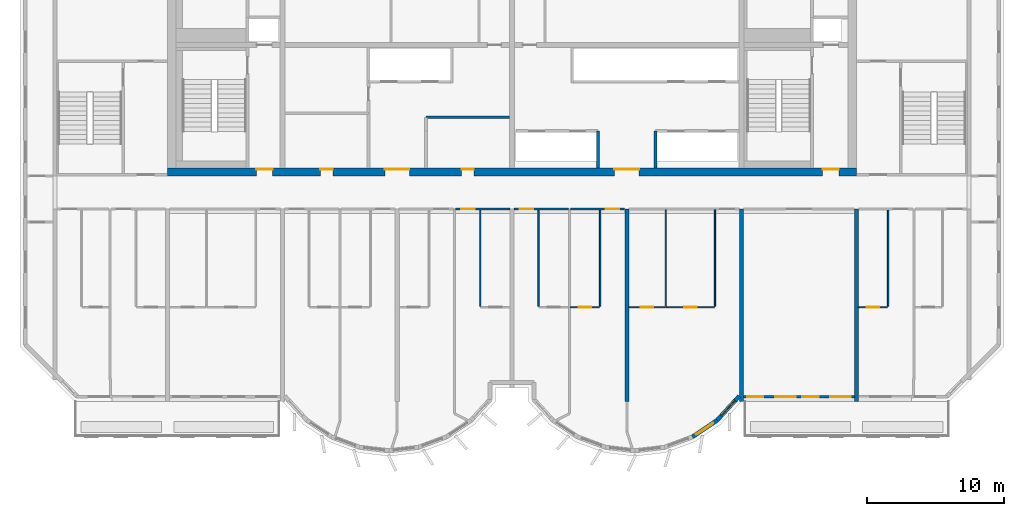
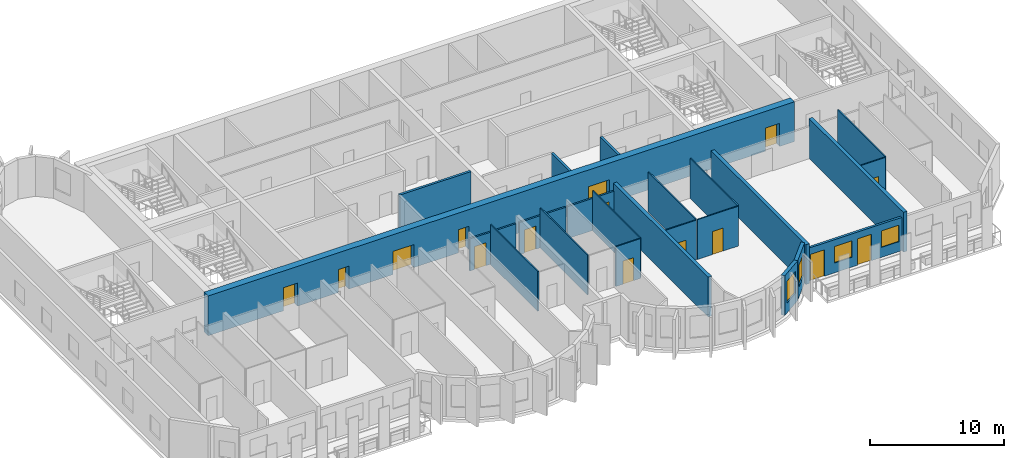
# One storey, part 5 of 11: 23 walls, 15 doors, 4 windows, 19 openings.
"""IFC4 building model written with IfcOpenShell, lengths in metres."""

from ifc_helpers import new_model, si_unit, direction, frame, frame_2d, origin, place, context, subcontext, project, spatial, rectangle, extrude, source, transform, mapped, material, layer, layer_set, type_object, element, fill, save


model = new_model("IFC4")

# Units and contexts
model_context = context("Model", 3, precision=1e-05, world=origin(), true_north=direction((0.0, 1.0)))
body_context = subcontext(model_context, "Body", "Model", "MODEL_VIEW")
ifc_project = project(units=[si_unit("LENGTHUNIT", "METRE"), si_unit("AREAUNIT", "SQUARE_METRE"), si_unit("VOLUMEUNIT", "CUBIC_METRE"), si_unit("PLANEANGLEUNIT", "RADIAN"), si_unit("MASSUNIT", "GRAM", prefix="KILO")], contexts=[model_context])

# Site, building, storey
site_placement = place(None, origin())
site = spatial("IfcSite", under=ifc_project, at=site_placement, CompositionType="ELEMENT")
building_placement = place(site_placement, origin())
building = spatial("IfcBuilding", under=site, at=building_placement, Name="Vanashikhar Sky Hotel", CompositionType="ELEMENT")
storey_placement = place(building_placement, frame((0.0, 0.0, 233.5)))
storey = spatial("IfcBuildingStorey", under=building, at=storey_placement, Name="L56", CompositionType="ELEMENT", Elevation=233.5)

# Wall, openings, doors
ifc_material_1 = material(Name="Concrete M60", Category="concrete")
ifc_layer_1 = layer(ifc_material_1, 0.60009765625)
ifc_layer_set_1 = layer_set([ifc_layer_1], Name="RC core shell wall 600 Concrete M60")
wall_type_1 = type_object("IfcWallType", Name="RC core shell wall 600 Concrete M60", PredefinedType="SHEAR", material=ifc_layer_set_1)
shared_shape_1 = source(origin(), body_context, "Body", "SweptSolid", [
    extrude(rectangle(XDim=50.400146484375, YDim=0.60009765625, at=frame_2d((25.2001953125, 0.0))), origin(), (0.0, 0.0, 1.0), 3.6201171875),
])
wall_1_placement = place(storey_placement, frame((25.199951171875, 22.300048828125, 0.0), z_axis=(0.0, 0.0, 1.0), x_axis=(1.0, 0.0, 0.0)))
wall_1 = element("IfcWall", 1, at=wall_1_placement, inside=storey, type_object=wall_type_1, Name="KW-L56-KS", PredefinedType="SHEAR", context=body_context, shape_type="MappedRepresentation", body=[
    mapped(shared_shape_1, transform((0.0, 0.0, 0.0), scale=1.0)),
])
shared_shape_2 = source(origin(), body_context, "Body", "SweptSolid", [
    extrude(rectangle(XDim=1.800048828125, YDim=2.10009765625, at=frame_2d((0.89990234375, 1.050048828125))), frame((0.0, 0.31005859375, 0.0), z_axis=(0.0, -1.0, 0.0), x_axis=(1.0, 0.0, 0.0)), (0.0, 0.0, 1.0), 0.6201171875),
])
opening_1_placement = place(wall_1_placement, frame((15.89990234375, 0.0, 0.0)))
opening_1 = element("IfcOpeningElement", 2, at=opening_1_placement, cuts=wall_1, Name="Opening DC-3-A", PredefinedType="OPENING", context=body_context, shape_type="MappedRepresentation", body=[
    mapped(shared_shape_2, transform((0.0, 0.0, 0.0), scale=1.0)),
])
shared_shape_3 = source(origin(), body_context, "Body", "SweptSolid", [
    extrude(rectangle(XDim=0.89990234375, YDim=2.10009765625, at=frame_2d((0.449951171875, 1.050048828125))), frame((0.0, 0.31005859375, 0.0), z_axis=(0.0, -1.0, 0.0), x_axis=(1.0, 0.0, 0.0)), (0.0, 0.0, 1.0), 0.6201171875),
])
opening_2_placement = place(wall_1_placement, frame((11.18701171875, 0.0, 0.0)))
opening_2 = element("IfcOpeningElement", 3, at=opening_2_placement, cuts=wall_1, Name="Opening DC-4-A", PredefinedType="OPENING", context=body_context, shape_type="MappedRepresentation", body=[
    mapped(shared_shape_3, transform((0.0, 0.0, 0.0), scale=1.0)),
])
opening_3_placement = place(wall_1_placement, frame((21.512939453125, 0.0, 0.0)))
opening_3 = element("IfcOpeningElement", 4, at=opening_3_placement, cuts=wall_1, Name="Opening DC-4-A", PredefinedType="OPENING", context=body_context, shape_type="MappedRepresentation", body=[
    mapped(shared_shape_3, transform((0.0, 0.0, 0.0), scale=1.0)),
])
opening_4_placement = place(wall_1_placement, frame((32.699951171875, 0.0, 0.0)))
opening_4 = element("IfcOpeningElement", 5, at=opening_4_placement, cuts=wall_1, Name="Opening DC-3-A", PredefinedType="OPENING", context=body_context, shape_type="MappedRepresentation", body=[
    mapped(shared_shape_2, transform((0.0, 0.0, 0.0), scale=1.0)),
])
shared_shape_4 = source(origin(), body_context, "Body", "SweptSolid", [
    extrude(rectangle(XDim=1.199951171875, YDim=2.10009765625, at=frame_2d((0.60009765625, 1.050048828125))), frame((0.0, 0.31005859375, 0.0), z_axis=(0.0, -1.0, 0.0), x_axis=(1.0, 0.0, 0.0)), (0.0, 0.0, 1.0), 0.6201171875),
])
opening_5_placement = place(wall_1_placement, frame((6.488037109375, 0.0, 0.0)))
opening_5 = element("IfcOpeningElement", 6, at=opening_5_placement, cuts=wall_1, Name="Opening DC-2", PredefinedType="OPENING", context=body_context, shape_type="MappedRepresentation", body=[
    mapped(shared_shape_4, transform((0.0, 0.0, 0.0), scale=1.0)),
])
opening_6_placement = place(wall_1_placement, frame((47.925048828125, 0.0, 0.0)))
opening_6 = element("IfcOpeningElement", 7, at=opening_6_placement, cuts=wall_1, Name="Opening DC-2", PredefinedType="OPENING", context=body_context, shape_type="MappedRepresentation", body=[
    mapped(shared_shape_4, transform((0.0, 0.0, 0.0), scale=1.0)),
])
ifc_material_2 = material(Name="Steel", Category="steel")
door_type_1 = type_object("IfcDoorType", Name="Firefighting lobby door 1200 FD120", OperationType="NOTDEFINED", PredefinedType="DOOR", material=ifc_material_2)
shared_shape_5 = source(origin(), body_context, "Body", "SweptSolid", [
    extrude(rectangle(XDim=1.199951171875, YDim=2.10009765625, at=frame_2d((0.60009765625, 1.050048828125))), frame((0.0, 0.22509765625, 0.0), z_axis=(0.0, -1.0, 0.0), x_axis=(1.0, 0.0, 0.0)), (0.0, 0.0, 1.0), 0.050048828125),
])
door_1_placement = place(opening_5_placement, origin())
door_1 = element("IfcDoor", 8, at=door_1_placement, inside=storey, type_object=door_type_1, Name="Firefighting lobby door 1200 FD120", OperationType="SINGLE_SWING_LEFT", OverallHeight=2.10009765625, OverallWidth=1.199951171875, PredefinedType="DOOR", context=body_context, shape_type="MappedRepresentation", body=[
    mapped(shared_shape_5, transform((0.0, 0.0, 0.0), scale=1.0)),
])
fill(opening_5, door_1)
door_2_placement = place(opening_6_placement, origin())
door_2 = element("IfcDoor", 9, at=door_2_placement, inside=storey, type_object=door_type_1, Name="Firefighting lobby door 1200 FD120", OperationType="SINGLE_SWING_LEFT", OverallHeight=2.10009765625, OverallWidth=1.199951171875, PredefinedType="DOOR", context=body_context, shape_type="MappedRepresentation", body=[
    mapped(shared_shape_5, transform((0.0, 0.0, 0.0), scale=1.0)),
])
fill(opening_6, door_2)
door_type_2 = type_object("IfcDoorType", Name="Service door 900 FD60", OperationType="NOTDEFINED", PredefinedType="DOOR", material=ifc_material_2)
shared_shape_6 = source(origin(), body_context, "Body", "SweptSolid", [
    extrude(rectangle(XDim=0.89990234375, YDim=2.10009765625, at=frame_2d((0.449951171875, 1.050048828125))), frame((0.0, 0.22509765625, 0.0), z_axis=(0.0, -1.0, 0.0), x_axis=(1.0, 0.0, 0.0)), (0.0, 0.0, 1.0), 0.050048828125),
])
door_3_placement = place(opening_2_placement, origin())
door_3 = element("IfcDoor", 10, at=door_3_placement, inside=storey, type_object=door_type_2, Name="Service door 900 FD60", OperationType="SINGLE_SWING_LEFT", OverallHeight=2.10009765625, OverallWidth=0.89990234375, PredefinedType="DOOR", context=body_context, shape_type="MappedRepresentation", body=[
    mapped(shared_shape_6, transform((0.0, 0.0, 0.0), scale=1.0)),
])
fill(opening_2, door_3)
door_4_placement = place(opening_3_placement, origin())
door_4 = element("IfcDoor", 11, at=door_4_placement, inside=storey, type_object=door_type_2, Name="Service door 900 FD60", OperationType="SINGLE_SWING_LEFT", OverallHeight=2.10009765625, OverallWidth=0.89990234375, PredefinedType="DOOR", context=body_context, shape_type="MappedRepresentation", body=[
    mapped(shared_shape_6, transform((0.0, 0.0, 0.0), scale=1.0)),
])
fill(opening_3, door_4)
ifc_material_3 = material(Name="Glass", Category="glass")
door_type_3 = type_object("IfcDoorType", Name="Lift lobby entrance door 1800 FD30S", OperationType="NOTDEFINED", PredefinedType="DOOR", material=ifc_material_3)
shared_shape_7 = source(origin(), body_context, "Body", "SweptSolid", [
    extrude(rectangle(XDim=1.800048828125, YDim=2.10009765625, at=frame_2d((0.89990234375, 1.050048828125))), frame((0.0, 0.22509765625, 0.0), z_axis=(0.0, -1.0, 0.0), x_axis=(1.0, 0.0, 0.0)), (0.0, 0.0, 1.0), 0.050048828125),
])
door_5_placement = place(opening_1_placement, origin())
door_5 = element("IfcDoor", 12, at=door_5_placement, inside=storey, type_object=door_type_3, Name="Lift lobby entrance door 1800 FD30S", OperationType="DOUBLE_DOOR_SINGLE_SWING", OverallHeight=2.10009765625, OverallWidth=1.800048828125, PredefinedType="DOOR", context=body_context, shape_type="MappedRepresentation", body=[
    mapped(shared_shape_7, transform((0.0, 0.0, 0.0), scale=1.0)),
])
fill(opening_1, door_5)
door_6_placement = place(opening_4_placement, origin())
door_6 = element("IfcDoor", 13, at=door_6_placement, inside=storey, type_object=door_type_3, Name="Lift lobby entrance door 1800 FD30S", OperationType="DOUBLE_DOOR_SINGLE_SWING", OverallHeight=2.10009765625, OverallWidth=1.800048828125, PredefinedType="DOOR", context=body_context, shape_type="MappedRepresentation", body=[
    mapped(shared_shape_7, transform((0.0, 0.0, 0.0), scale=1.0)),
])
fill(opening_4, door_6)

# Walls
ifc_layer_2 = layer(ifc_material_1, 0.300048828125)
ifc_layer_set_2 = layer_set([ifc_layer_2], Name="RC shear wall 300 Concrete M60")
wall_type_2 = type_object("IfcWallType", Name="RC shear wall 300 Concrete M60", PredefinedType="SHEAR", material=ifc_layer_set_2)
shared_shape_8 = source(origin(), body_context, "Body", "SweptSolid", [
    extrude(rectangle(XDim=14.10009765625, YDim=0.300048828125, at=frame_2d((7.050048828125, 0.0))), origin(), (0.0, 0.0, 1.0), 3.6201171875),
])
for number, where, z_axis, x_axis, name in (
    (14, (58.800048828125, 5.5, 0.0), (0.0, 0.0, 1.0), (0.0, 1.0, 0.0), "CW-L56-XW08-1"),
    (15, (67.199951171875, 5.5, 0.0), (0.0, 0.0, 1.0), (0.0, 1.0, 0.0), "CW-L56-XW09-1"),
    (16, (75.60009765625, 5.5, 0.0), (0.0, 0.0, 1.0), (0.0, 1.0, 0.0), "CW-L56-XW10-1"),
):
    element("IfcWall", number, at=place(storey_placement, frame(where, z_axis=z_axis, x_axis=x_axis)), inside=storey, type_object=wall_type_2, Name=name, PredefinedType="SHEAR", context=body_context, shape_type="MappedRepresentation", body=[
        mapped(shared_shape_8, transform((0.0, 0.0, 0.0), scale=1.0)),
    ])

# Wall, openings, windows, doors
ifc_material_4 = material(Name="Concrete M50", Category="concrete")
ifc_layer_3 = layer(ifc_material_4, 0.199951171875)
ifc_layer_set_3 = layer_set([ifc_layer_3], Name="Front window wall 200")
wall_type_3 = type_object("IfcWallType", Name="Front window wall 200", PredefinedType="SOLIDWALL", material=ifc_layer_set_3)
shared_shape_9 = source(origin(), body_context, "Body", "SweptSolid", [
    extrude(rectangle(XDim=8.099853515625, YDim=0.199951171875, at=frame_2d((4.0498046875, 0.0))), origin(), (0.0, 0.0, 1.0), 3.02001953125),
])
wall_2_placement = place(storey_placement, frame((67.35009765625, 5.85009765625, 0.0), z_axis=(0.0, 0.0, 1.0), x_axis=(1.0, 0.0, 0.0)))
wall_2 = element("IfcWall", 17, at=wall_2_placement, inside=storey, type_object=wall_type_3, Name="Front window wall", PredefinedType="SOLIDWALL", context=body_context, shape_type="MappedRepresentation", body=[
    mapped(shared_shape_9, transform((0.0, 0.0, 0.0), scale=1.0)),
])
shared_shape_10 = source(origin(), body_context, "Body", "SweptSolid", [
    extrude(rectangle(XDim=1.199951171875, YDim=2.39990234375, at=frame_2d((0.60009765625, 1.199951171875))), frame((0.0, 0.10986328125, 0.0), z_axis=(0.0, -1.0, 0.0), x_axis=(1.0, 0.0, 0.0)), (0.0, 0.0, 1.0), 0.219970703125),
])
opening_7_placement = place(wall_2_placement, frame((0.25, 0.0, 0.0)))
opening_7 = element("IfcOpeningElement", 18, at=opening_7_placement, cuts=wall_2, Name="Opening BD-03", PredefinedType="OPENING", context=body_context, shape_type="MappedRepresentation", body=[
    mapped(shared_shape_10, transform((0.0, 0.0, 0.0), scale=1.0)),
])
shared_shape_11 = source(origin(), body_context, "Body", "SweptSolid", [
    extrude(rectangle(XDim=1.5, YDim=1.5, at=frame_2d((0.75, 0.75))), frame((0.0, 0.10986328125, 0.0), z_axis=(0.0, -1.0, 0.0), x_axis=(1.0, 0.0, 0.0)), (0.0, 0.0, 1.0), 0.219970703125),
])
opening_8_placement = place(wall_2_placement, frame((2.300048828125, 0.0, 0.89990234375)))
opening_8 = element("IfcOpeningElement", 19, at=opening_8_placement, cuts=wall_2, Name="Opening WN-1", PredefinedType="OPENING", context=body_context, shape_type="MappedRepresentation", body=[
    mapped(shared_shape_11, transform((0.0, 0.0, 0.0), scale=1.0)),
])
opening_9_placement = place(wall_2_placement, frame((4.300048828125, 0.0, 0.0)))
opening_9 = element("IfcOpeningElement", 20, at=opening_9_placement, cuts=wall_2, Name="Opening BD-04", PredefinedType="OPENING", context=body_context, shape_type="MappedRepresentation", body=[
    mapped(shared_shape_10, transform((0.0, 0.0, 0.0), scale=1.0)),
])
opening_10_placement = place(wall_2_placement, frame((6.35009765625, 0.0, 0.89990234375)))
opening_10 = element("IfcOpeningElement", 21, at=opening_10_placement, cuts=wall_2, Name="Opening WN-1", PredefinedType="OPENING", context=body_context, shape_type="MappedRepresentation", body=[
    mapped(shared_shape_11, transform((0.0, 0.0, 0.0), scale=1.0)),
])
window_type_1 = type_object("IfcWindowType", Name="Window 1500 x 1500", PartitioningType="SINGLE_PANEL", PredefinedType="WINDOW", material=ifc_material_3)
shared_shape_12 = source(origin(), body_context, "Body", "SweptSolid", [
    extrude(rectangle(XDim=1.5, YDim=1.5, at=frame_2d((0.75, 0.75))), frame((0.0, 0.030029296875, 0.0), z_axis=(0.0, -1.0, 0.0), x_axis=(1.0, 0.0, 0.0)), (0.0, 0.0, 1.0), 0.06005859375),
])
window_1_placement = place(opening_8_placement, origin())
window_1 = element("IfcWindow", 22, at=window_1_placement, inside=storey, type_object=window_type_1, Name="Window WN-1", OverallHeight=1.5, OverallWidth=1.5, PartitioningType="SINGLE_PANEL", PredefinedType="WINDOW", context=body_context, shape_type="MappedRepresentation", body=[
    mapped(shared_shape_12, transform((0.0, 0.0, 0.0), scale=1.0)),
])
fill(opening_8, window_1)
window_2_placement = place(opening_10_placement, origin())
window_2 = element("IfcWindow", 23, at=window_2_placement, inside=storey, type_object=window_type_1, Name="Window WN-1", OverallHeight=1.5, OverallWidth=1.5, PartitioningType="SINGLE_PANEL", PredefinedType="WINDOW", context=body_context, shape_type="MappedRepresentation", body=[
    mapped(shared_shape_12, transform((0.0, 0.0, 0.0), scale=1.0)),
])
fill(opening_10, window_2)
ifc_material_5 = material(Name="Aluminium", Category="aluminium")
door_type_4 = type_object("IfcDoorType", Name="Balcony sliding door 1200 x 2400", OperationType="NOTDEFINED", PredefinedType="DOOR", material=ifc_material_5)
shared_shape_13 = source(origin(), body_context, "Body", "SweptSolid", [
    extrude(rectangle(XDim=1.199951171875, YDim=2.39990234375, at=frame_2d((0.60009765625, 1.199951171875))), frame((0.0, 0.02490234375, 0.0), z_axis=(0.0, -1.0, 0.0), x_axis=(1.0, 0.0, 0.0)), (0.0, 0.0, 1.0), 0.050048828125),
])
door_7_placement = place(opening_7_placement, origin())
door_7 = element("IfcDoor", 24, at=door_7_placement, inside=storey, type_object=door_type_4, Name="Balcony sliding door", OperationType="SLIDING_TO_LEFT", OverallHeight=2.39990234375, OverallWidth=1.199951171875, PredefinedType="DOOR", context=body_context, shape_type="MappedRepresentation", body=[
    mapped(shared_shape_13, transform((0.0, 0.0, 0.0), scale=1.0)),
])
fill(opening_7, door_7)
door_8_placement = place(opening_9_placement, origin())
door_8 = element("IfcDoor", 25, at=door_8_placement, inside=storey, type_object=door_type_4, Name="Balcony sliding door", OperationType="SLIDING_TO_RIGHT", OverallHeight=2.39990234375, OverallWidth=1.199951171875, PredefinedType="DOOR", context=body_context, shape_type="MappedRepresentation", body=[
    mapped(shared_shape_13, transform((0.0, 0.0, 0.0), scale=1.0)),
])
fill(opening_9, door_8)

# Wall, opening, window
ifc_layer_4 = layer(ifc_material_4, 0.300048828125)
ifc_layer_set_4 = layer_set([ifc_layer_4], Name="Lobe wall 300")
wall_type_4 = type_object("IfcWallType", Name="Lobe wall 300", PredefinedType="SOLIDWALL", material=ifc_layer_set_4)
shared_shape_14 = source(origin(), body_context, "Body", "SweptSolid", [
    extrude(rectangle(XDim=2.398193359375, YDim=0.300048828125, at=frame_2d((1.19921875, 0.0))), origin(), (0.0, 0.0, 1.0), 3.6201171875),
])
wall_3_placement = place(storey_placement, frame((65.404296875, 4.13134765625, 0.0), z_axis=(0.0, 0.0, 1.0), x_axis=(0.675374189419, 0.737475222815, 0.0)))
wall_3 = element("IfcWall", 26, at=wall_3_placement, inside=storey, type_object=wall_type_4, Name="Lobe wall", PredefinedType="SOLIDWALL", context=body_context, shape_type="MappedRepresentation", body=[
    mapped(shared_shape_14, transform((0.0, 0.0, 0.0), scale=1.0)),
])
shared_shape_15 = source(origin(), body_context, "Body", "SweptSolid", [
    extrude(rectangle(XDim=1.5, YDim=2.0, at=frame_2d((0.75, 1.0))), frame((0.0, 0.16015625, 0.0), z_axis=(0.0, -1.0, 0.0), x_axis=(1.0, 0.0, 0.0)), (0.0, 0.0, 1.0), 0.320068359375),
])
opening_11_placement = place(wall_3_placement, frame((0.44921875, 0.0, 0.89990234375)))
opening_11 = element("IfcOpeningElement", 27, at=opening_11_placement, cuts=wall_3, Name="Opening WN-2", PredefinedType="OPENING", context=body_context, shape_type="MappedRepresentation", body=[
    mapped(shared_shape_15, transform((0.0, 0.0, 0.0), scale=1.0)),
])
window_type_2 = type_object("IfcWindowType", Name="Lobe window 1500 x 2000", PartitioningType="SINGLE_PANEL", PredefinedType="WINDOW", material=ifc_material_3)
shared_shape_16 = source(origin(), body_context, "Body", "SweptSolid", [
    extrude(rectangle(XDim=1.5, YDim=2.0, at=frame_2d((0.75, 1.0))), frame((0.0, 0.030029296875, 0.0), z_axis=(0.0, -1.0, 0.0), x_axis=(1.0, 0.0, 0.0)), (0.0, 0.0, 1.0), 0.06005859375),
])
window_3_placement = place(opening_11_placement, origin())
window_3 = element("IfcWindow", 28, at=window_3_placement, inside=storey, type_object=window_type_2, Name="Window WN-2", OverallHeight=2.0, OverallWidth=1.5, PartitioningType="SINGLE_PANEL", PredefinedType="WINDOW", context=body_context, shape_type="MappedRepresentation", body=[
    mapped(shared_shape_16, transform((0.0, 0.0, 0.0), scale=1.0)),
])
fill(opening_11, window_3)

shared_shape_17 = source(origin(), body_context, "Body", "SweptSolid", [
    extrude(rectangle(XDim=2.17578125, YDim=0.300048828125, at=frame_2d((1.087890625, 0.0))), origin(), (0.0, 0.0, 1.0), 3.6201171875),
])
wall_4_placement = place(storey_placement, frame((63.59912109375, 2.91650390625, 0.0), z_axis=(0.0, 0.0, 1.0), x_axis=(0.829625727223, 0.558319937607, 0.0)))
wall_4 = element("IfcWall", 29, at=wall_4_placement, inside=storey, type_object=wall_type_4, Name="Lobe wall", PredefinedType="SOLIDWALL", context=body_context, shape_type="MappedRepresentation", body=[
    mapped(shared_shape_17, transform((0.0, 0.0, 0.0), scale=1.0)),
])
opening_12_placement = place(wall_4_placement, frame((0.337890625, 0.0, 0.89990234375)))
opening_12 = element("IfcOpeningElement", 30, at=opening_12_placement, cuts=wall_4, Name="Opening WN-2", PredefinedType="OPENING", context=body_context, shape_type="MappedRepresentation", body=[
    mapped(shared_shape_15, transform((0.0, 0.0, 0.0), scale=1.0)),
])
window_4_placement = place(opening_12_placement, origin())
window_4 = element("IfcWindow", 31, at=window_4_placement, inside=storey, type_object=window_type_2, Name="Window WN-2", OverallHeight=2.0, OverallWidth=1.5, PartitioningType="SINGLE_PANEL", PredefinedType="WINDOW", context=body_context, shape_type="MappedRepresentation", body=[
    mapped(shared_shape_16, transform((0.0, 0.0, 0.0), scale=1.0)),
])
fill(opening_12, window_4)

# Walls
ifc_material_6 = material(Name="Concrete M40", Category="concrete")
ifc_layer_5 = layer(ifc_material_6, 0.199951171875)
ifc_layer_set_5 = layer_set([ifc_layer_5], Name="Shaft wall 200")
wall_type_5 = type_object("IfcWallType", Name="Shaft wall 200", PredefinedType="SOLIDWALL", material=ifc_layer_set_5)
shared_shape_18 = source(origin(), body_context, "Body", "SweptSolid", [
    extrude(rectangle(XDim=2.699951171875, YDim=0.199951171875, at=frame_2d((1.35009765625, 0.0))), origin(), (0.0, 0.0, 1.0), 3.6201171875),
])
for number, where, z_axis, x_axis, name in (
    (32, (60.89990234375, 22.60009765625, 0.0), (0.0, 0.0, 1.0), (0.0, 1.0, 0.0), "Shaft wall 200"),
    (33, (56.699951171875, 22.60009765625, 0.0), (0.0, 0.0, 1.0), (0.0, 1.0, 0.0), "Shaft wall 200"),
):
    element("IfcWall", number, at=place(storey_placement, frame(where, z_axis=z_axis, x_axis=x_axis)), inside=storey, type_object=wall_type_5, Name=name, PredefinedType="SOLIDWALL", context=body_context, shape_type="MappedRepresentation", body=[
        mapped(shared_shape_18, transform((0.0, 0.0, 0.0), scale=1.0)),
    ])
ifc_material_7 = material(Name="Gypsum board partition")
ifc_layer_6 = layer(ifc_material_7, 0.14990234375)
ifc_layer_set_6 = layer_set([ifc_layer_6], Name="Service partition 150")
wall_type_6 = type_object("IfcWallType", Name="Service partition 150", PredefinedType="PARTITIONING", material=ifc_layer_set_6)
shared_shape_19 = source(origin(), body_context, "Body", "SweptSolid", [
    extrude(rectangle(XDim=6.125, YDim=0.199951171875, at=frame_2d((3.0625, 0.0))), origin(), (0.0, 0.0, 1.0), 3.6201171875),
])
wall_5_placement = place(storey_placement, frame((44.10009765625, 26.300048828125, 0.0), z_axis=(0.0, 0.0, 1.0), x_axis=(1.0, 0.0, 0.0)))
element("IfcWall", 34, at=wall_5_placement, inside=storey, type_object=wall_type_6, Name="Service partition 150", PredefinedType="PARTITIONING", context=body_context, shape_type="MappedRepresentation", body=[
    mapped(shared_shape_19, transform((0.0, 0.0, 0.0), scale=1.0)),
])
ifc_material_8 = material(Name="Gypsum plasterboard partition")
ifc_layer_7 = layer(ifc_material_8, 0.10009765625)
ifc_layer_set_7 = layer_set([ifc_layer_7], Name="Wet room partition 100")
wall_type_7 = type_object("IfcWallType", Name="Wet room partition 100", PredefinedType="PARTITIONING", material=ifc_layer_set_7)
shared_shape_20 = source(origin(), body_context, "Body", "SweptSolid", [
    extrude(rectangle(XDim=7.0498046875, YDim=0.10009765625, at=frame_2d((3.52490234375, 0.0))), origin(), (0.0, 0.0, 1.0), 3.6201171875),
])
for number, where, z_axis, x_axis, name in (
    (35, (48.074951171875, 12.47509765625, 0.0), (0.0, 0.0, 1.0), (0.0, 1.0, 0.0), "W-L56-PW023"),
    (36, (52.35009765625, 12.47509765625, 0.0), (0.0, 0.0, 1.0), (0.0, 1.0, 0.0), "W-L56-PW027"),
    (37, (56.85009765625, 12.47509765625, 0.0), (0.0, 0.0, 1.0), (0.0, 1.0, 0.0), "W-L56-PW030"),
    (38, (65.25, 12.47509765625, 0.0), (0.0, 0.0, 1.0), (0.0, 1.0, 0.0), "W-L56-PW034"),
    (39, (61.64990234375, 12.47509765625, 0.0), (0.0, 0.0, 1.0), (0.0, 1.0, 0.0), "W-L56-PW035"),
    (40, (77.925048828125, 12.47509765625, 0.0), (0.0, 0.0, 1.0), (0.0, 1.0, 0.0), "W-L56-PW040"),
):
    element("IfcWall", number, at=place(storey_placement, frame(where, z_axis=z_axis, x_axis=x_axis)), inside=storey, type_object=wall_type_7, Name=name, PredefinedType="PARTITIONING", context=body_context, shape_type="MappedRepresentation", body=[
        mapped(shared_shape_20, transform((0.0, 0.0, 0.0), scale=1.0)),
    ])

# Wall, opening, door
shared_shape_21 = source(origin(), body_context, "Body", "SweptSolid", [
    extrude(rectangle(XDim=2.125, YDim=0.10009765625, at=frame_2d((1.0625, 0.0))), origin(), (0.0, 0.0, 1.0), 3.6201171875),
])
wall_6_placement = place(storey_placement, frame((54.675048828125, 12.39990234375, 0.0), z_axis=(0.0, 0.0, 1.0), x_axis=(1.0, 0.0, 0.0)))
wall_6 = element("IfcWall", 41, at=wall_6_placement, inside=storey, type_object=wall_type_7, Name="W-L56-PW031", PredefinedType="PARTITIONING", context=body_context, shape_type="MappedRepresentation", body=[
    mapped(shared_shape_21, transform((0.0, 0.0, 0.0), scale=1.0)),
])
shared_shape_22 = source(origin(), body_context, "Body", "SweptSolid", [
    extrude(rectangle(XDim=0.89990234375, YDim=2.10009765625, at=frame_2d((0.449951171875, 1.050048828125))), frame((0.0, 0.06005859375, 0.0), z_axis=(0.0, -1.0, 0.0), x_axis=(1.0, 0.0, 0.0)), (0.0, 0.0, 1.0), 0.1201171875),
])
opening_13_placement = place(wall_6_placement, frame((0.613037109375, 0.0, 0.0)))
opening_13 = element("IfcOpeningElement", 42, at=opening_13_placement, cuts=wall_6, Name="Opening D-02", PredefinedType="OPENING", context=body_context, shape_type="MappedRepresentation", body=[
    mapped(shared_shape_22, transform((0.0, 0.0, 0.0), scale=1.0)),
])
ifc_material_9 = material(Name="Timber door", Category="wood")
door_type_5 = type_object("IfcDoorType", Name="Internal door 900", OperationType="NOTDEFINED", PredefinedType="DOOR", material=ifc_material_9)
shared_shape_23 = source(origin(), body_context, "Body", "SweptSolid", [
    extrude(rectangle(XDim=0.89990234375, YDim=2.10009765625, at=frame_2d((0.449951171875, 1.050048828125))), frame((0.0, 0.02490234375, 0.0), z_axis=(0.0, -1.0, 0.0), x_axis=(1.0, 0.0, 0.0)), (0.0, 0.0, 1.0), 0.050048828125),
])
door_9_placement = place(opening_13_placement, origin())
door_9 = element("IfcDoor", 43, at=door_9_placement, inside=storey, type_object=door_type_5, Name="D-L56-018", OperationType="SINGLE_SWING_RIGHT", OverallHeight=2.10009765625, OverallWidth=0.89990234375, PredefinedType="DOOR", context=body_context, shape_type="MappedRepresentation", body=[
    mapped(shared_shape_23, transform((0.0, 0.0, 0.0), scale=1.0)),
])
fill(opening_13, door_9)

wall_7_placement = place(storey_placement, frame((75.75, 12.39990234375, 0.0), z_axis=(0.0, 0.0, 1.0), x_axis=(1.0, 0.0, 0.0)))
wall_7 = element("IfcWall", 44, at=wall_7_placement, inside=storey, type_object=wall_type_7, Name="W-L56-PW041", PredefinedType="PARTITIONING", context=body_context, shape_type="MappedRepresentation", body=[
    mapped(shared_shape_21, transform((0.0, 0.0, 0.0), scale=1.0)),
])
opening_14_placement = place(wall_7_placement, frame((0.612060546875, 0.0, 0.0)))
opening_14 = element("IfcOpeningElement", 45, at=opening_14_placement, cuts=wall_7, Name="Opening D-02", PredefinedType="OPENING", context=body_context, shape_type="MappedRepresentation", body=[
    mapped(shared_shape_22, transform((0.0, 0.0, 0.0), scale=1.0)),
])
door_10_placement = place(opening_14_placement, origin())
door_10 = element("IfcDoor", 46, at=door_10_placement, inside=storey, type_object=door_type_5, Name="D-L56-024", OperationType="SINGLE_SWING_RIGHT", OverallHeight=2.10009765625, OverallWidth=0.89990234375, PredefinedType="DOOR", context=body_context, shape_type="MappedRepresentation", body=[
    mapped(shared_shape_23, transform((0.0, 0.0, 0.0), scale=1.0)),
])
fill(opening_14, door_10)

ifc_layer_8 = layer(ifc_material_8, 0.14990234375)
ifc_layer_set_8 = layer_set([ifc_layer_8], Name="Corridor and demising partition 150")
wall_type_8 = type_object("IfcWallType", Name="Corridor and demising partition 150", PredefinedType="PARTITIONING", material=ifc_layer_set_8)
shared_shape_24 = source(origin(), body_context, "Body", "SweptSolid", [
    extrude(rectangle(XDim=3.97509765625, YDim=0.14990234375, at=frame_2d((1.987548828125, 0.0))), origin(), (0.0, 0.0, 1.0), 2.919921875),
])
wall_8_placement = place(storey_placement, frame((46.27490234375, 19.60009765625, 0.0), z_axis=(0.0, 0.0, 1.0), x_axis=(1.0, 0.0, 0.0)))
wall_8 = element("IfcWall", 47, at=wall_8_placement, inside=storey, type_object=wall_type_8, Name="W-L56-PW025", PredefinedType="PARTITIONING", context=body_context, shape_type="MappedRepresentation", body=[
    mapped(shared_shape_24, transform((0.0, 0.0, 0.0), scale=1.0)),
])
shared_shape_25 = source(origin(), body_context, "Body", "SweptSolid", [
    extrude(rectangle(XDim=1.0, YDim=2.10009765625, at=frame_2d((0.5, 1.050048828125))), frame((0.0, 0.0849609375, 0.0), z_axis=(0.0, -1.0, 0.0), x_axis=(1.0, 0.0, 0.0)), (0.0, 0.0, 1.0), 0.169921875),
])
opening_15_placement = place(wall_8_placement, frame((0.39990234375, 0.0, 0.0)))
opening_15 = element("IfcOpeningElement", 48, at=opening_15_placement, cuts=wall_8, Name="Opening D-01", PredefinedType="OPENING", context=body_context, shape_type="MappedRepresentation", body=[
    mapped(shared_shape_25, transform((0.0, 0.0, 0.0), scale=1.0)),
])
ifc_material_10 = material(Name="Timber fire door", Category="wood")
door_type_6 = type_object("IfcDoorType", Name="Guest entry door 1000 FD30S", OperationType="NOTDEFINED", PredefinedType="DOOR", material=ifc_material_10)
shared_shape_26 = source(origin(), body_context, "Body", "SweptSolid", [
    extrude(rectangle(XDim=1.0, YDim=2.10009765625, at=frame_2d((0.5, 1.050048828125))), frame((0.0, 0.02490234375, 0.0), z_axis=(0.0, -1.0, 0.0), x_axis=(1.0, 0.0, 0.0)), (0.0, 0.0, 1.0), 0.050048828125),
])
door_11_placement = place(opening_15_placement, origin())
door_11 = element("IfcDoor", 49, at=door_11_placement, inside=storey, type_object=door_type_6, Name="D-L56-015", OperationType="SINGLE_SWING_LEFT", OverallHeight=2.10009765625, OverallWidth=1.0, PredefinedType="DOOR", context=body_context, shape_type="MappedRepresentation", body=[
    mapped(shared_shape_26, transform((0.0, 0.0, 0.0), scale=1.0)),
])
fill(opening_15, door_11)

shared_shape_27 = source(origin(), body_context, "Body", "SweptSolid", [
    extrude(rectangle(XDim=3.5, YDim=0.10009765625, at=frame_2d((1.75, 0.0))), origin(), (0.0, 0.0, 1.0), 3.6201171875),
])
wall_9_placement = place(storey_placement, frame((61.699951171875, 12.39990234375, 0.0), z_axis=(0.0, 0.0, 1.0), x_axis=(1.0, 0.0, 0.0)))
wall_9 = element("IfcWall", 50, at=wall_9_placement, inside=storey, type_object=wall_type_7, Name="W-L56-PW036", PredefinedType="PARTITIONING", context=body_context, shape_type="MappedRepresentation", body=[
    mapped(shared_shape_27, transform((0.0, 0.0, 0.0), scale=1.0)),
])
opening_16_placement = place(wall_9_placement, frame((1.300048828125, 0.0, 0.0)))
opening_16 = element("IfcOpeningElement", 51, at=opening_16_placement, cuts=wall_9, Name="Opening D-02", PredefinedType="OPENING", context=body_context, shape_type="MappedRepresentation", body=[
    mapped(shared_shape_22, transform((0.0, 0.0, 0.0), scale=1.0)),
])
door_12_placement = place(opening_16_placement, origin())
door_12 = element("IfcDoor", 52, at=door_12_placement, inside=storey, type_object=door_type_5, Name="D-L56-020", OperationType="SINGLE_SWING_RIGHT", OverallHeight=2.10009765625, OverallWidth=0.89990234375, PredefinedType="DOOR", context=body_context, shape_type="MappedRepresentation", body=[
    mapped(shared_shape_23, transform((0.0, 0.0, 0.0), scale=1.0)),
])
fill(opening_16, door_12)

shared_shape_28 = source(origin(), body_context, "Body", "SweptSolid", [
    extrude(rectangle(XDim=2.650146484375, YDim=0.10009765625, at=frame_2d((1.3251953125, 0.0))), origin(), (0.0, 0.0, 1.0), 3.6201171875),
])
wall_10_placement = place(storey_placement, frame((58.949951171875, 12.39990234375, 0.0), z_axis=(0.0, 0.0, 1.0), x_axis=(1.0, 0.0, 0.0)))
wall_10 = element("IfcWall", 53, at=wall_10_placement, inside=storey, type_object=wall_type_7, Name="W-L56-PW037", PredefinedType="PARTITIONING", context=body_context, shape_type="MappedRepresentation", body=[
    mapped(shared_shape_28, transform((0.0, 0.0, 0.0), scale=1.0)),
])
opening_17_placement = place(wall_10_placement, frame((0.875, 0.0, 0.0)))
opening_17 = element("IfcOpeningElement", 54, at=opening_17_placement, cuts=wall_10, Name="Opening D-02", PredefinedType="OPENING", context=body_context, shape_type="MappedRepresentation", body=[
    mapped(shared_shape_22, transform((0.0, 0.0, 0.0), scale=1.0)),
])
door_13_placement = place(opening_17_placement, origin())
door_13 = element("IfcDoor", 55, at=door_13_placement, inside=storey, type_object=door_type_5, Name="D-L56-021", OperationType="SINGLE_SWING_RIGHT", OverallHeight=2.10009765625, OverallWidth=0.89990234375, PredefinedType="DOOR", context=body_context, shape_type="MappedRepresentation", body=[
    mapped(shared_shape_23, transform((0.0, 0.0, 0.0), scale=1.0)),
])
fill(opening_17, door_13)

shared_shape_29 = source(origin(), body_context, "Body", "SweptSolid", [
    extrude(rectangle(XDim=3.974853515625, YDim=0.14990234375, at=frame_2d((1.9873046875, 0.0))), origin(), (0.0, 0.0, 1.0), 2.919921875),
])
wall_11_placement = place(storey_placement, frame((50.550048828125, 19.60009765625, 0.0), z_axis=(0.0, 0.0, 1.0), x_axis=(1.0, 0.0, 0.0)))
wall_11 = element("IfcWall", 56, at=wall_11_placement, inside=storey, type_object=wall_type_8, Name="W-L56-PW029", PredefinedType="PARTITIONING", context=body_context, shape_type="MappedRepresentation", body=[
    mapped(shared_shape_29, transform((0.0, 0.0, 0.0), scale=1.0)),
])
opening_18_placement = place(wall_11_placement, frame((0.39990234375, 0.0, 0.0)))
opening_18 = element("IfcOpeningElement", 57, at=opening_18_placement, cuts=wall_11, Name="Opening D-01", PredefinedType="OPENING", context=body_context, shape_type="MappedRepresentation", body=[
    mapped(shared_shape_25, transform((0.0, 0.0, 0.0), scale=1.0)),
])
door_14_placement = place(opening_18_placement, origin())
door_14 = element("IfcDoor", 58, at=door_14_placement, inside=storey, type_object=door_type_6, Name="D-L56-017", OperationType="SINGLE_SWING_LEFT", OverallHeight=2.10009765625, OverallWidth=1.0, PredefinedType="DOOR", context=body_context, shape_type="MappedRepresentation", body=[
    mapped(shared_shape_26, transform((0.0, 0.0, 0.0), scale=1.0)),
])
fill(opening_18, door_14)

wall_12_placement = place(storey_placement, frame((54.675048828125, 19.60009765625, 0.0), z_axis=(0.0, 0.0, 1.0), x_axis=(1.0, 0.0, 0.0)))
wall_12 = element("IfcWall", 59, at=wall_12_placement, inside=storey, type_object=wall_type_8, Name="W-L56-PW032", PredefinedType="PARTITIONING", context=body_context, shape_type="MappedRepresentation", body=[
    mapped(shared_shape_29, transform((0.0, 0.0, 0.0), scale=1.0)),
])
opening_19_placement = place(wall_12_placement, frame((2.574951171875, 0.0, 0.0)))
opening_19 = element("IfcOpeningElement", 60, at=opening_19_placement, cuts=wall_12, Name="Opening D-01", PredefinedType="OPENING", context=body_context, shape_type="MappedRepresentation", body=[
    mapped(shared_shape_25, transform((0.0, 0.0, 0.0), scale=1.0)),
])
door_15_placement = place(opening_19_placement, origin())
door_15 = element("IfcDoor", 61, at=door_15_placement, inside=storey, type_object=door_type_6, Name="D-L56-019", OperationType="SINGLE_SWING_RIGHT", OverallHeight=2.10009765625, OverallWidth=1.0, PredefinedType="DOOR", context=body_context, shape_type="MappedRepresentation", body=[
    mapped(shared_shape_26, transform((0.0, 0.0, 0.0), scale=1.0)),
])
fill(opening_19, door_15)

save(model, "model.ifc")
